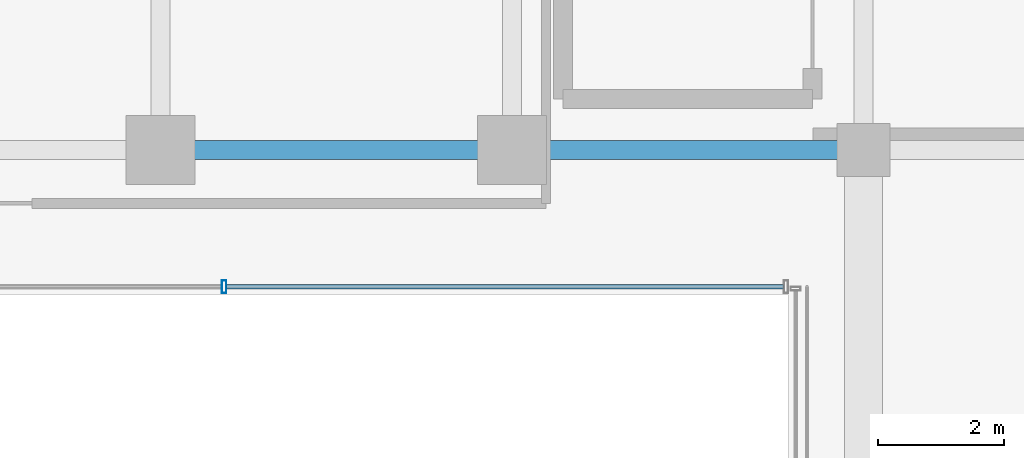
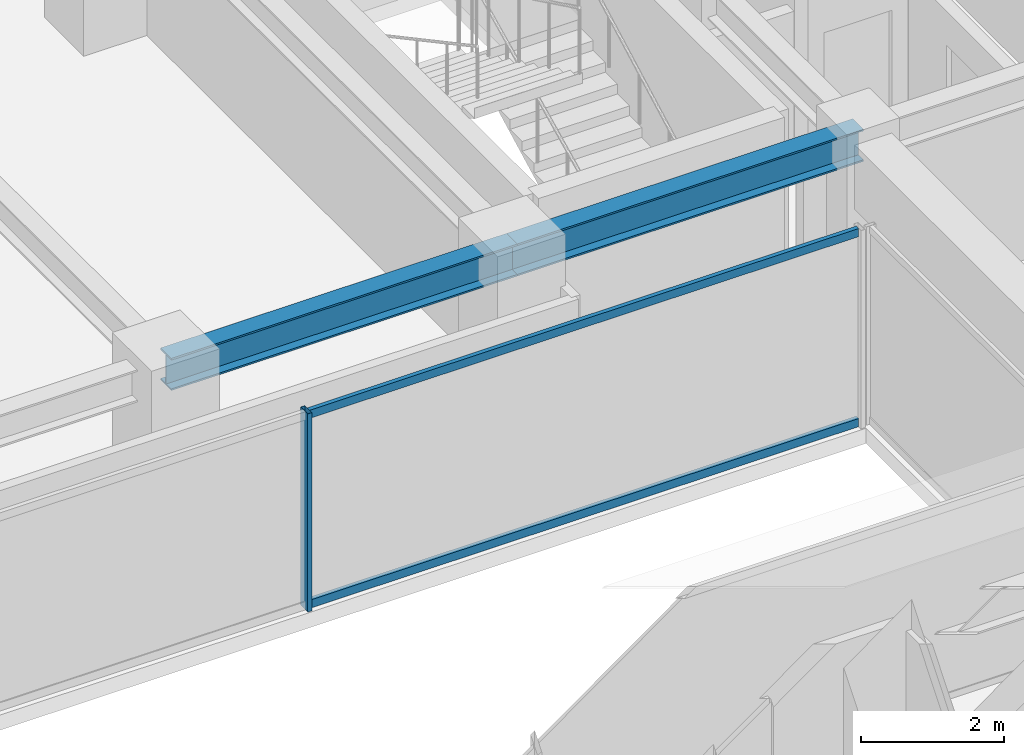
# One storey, part 12 of 37: 3 members, 2 beams, 1 element without a shape of its own.
"""IFC4 building model written with IfcOpenShell, lengths in metres."""

from ifc_helpers import new_model, si_unit, direction, frame, origin, origin_2d, place, context, subcontext, project, spatial, hollow_rectangle, i_section, extrude, source, transform, mapped, material, material_profile, profile_set, type_object, element, aggregate, save


model = new_model("IFC4")

# Units and contexts
model_context = context("Model", 3, precision=1e-05, world=origin(), true_north=direction((0.0, 1.0)))
body_context = subcontext(model_context, "Body", "Model", "MODEL_VIEW")
ifc_project = project(units=[si_unit("LENGTHUNIT", "METRE"), si_unit("AREAUNIT", "SQUARE_METRE"), si_unit("VOLUMEUNIT", "CUBIC_METRE"), si_unit("PLANEANGLEUNIT", "RADIAN"), si_unit("MASSUNIT", "GRAM", prefix="KILO")], contexts=[model_context])

# Site, building, storey
site_placement = place(None, origin())
site = spatial("IfcSite", under=ifc_project, at=site_placement, CompositionType="ELEMENT")
building_placement = place(site_placement, origin())
building = spatial("IfcBuilding", under=site, at=building_placement, Name="Nahalor Promenade Grand Hotel", CompositionType="ELEMENT")
storey_placement = place(building_placement, frame((0.0, 0.0, 167.25)))
storey = spatial("IfcBuildingStorey", under=building, at=storey_placement, Name="L42", CompositionType="ELEMENT", Elevation=167.25)

# Beams
ifc_material_1 = material(Name="Steel S355JR", Category="steel")
ifc_material_profile_1 = material_profile(ifc_material_1, i_section(OverallWidth=0.3, OverallDepth=0.55, WebThickness=0.015, FlangeThickness=0.029, at=origin_2d()), Name="HEB 550")
ifc_profile_set_1 = profile_set([ifc_material_profile_1], Name="Steel S355JR")
beam_type = type_object("IfcBeamType", Name="Beam-Girder-HEB550", PredefinedType="BEAM", material=ifc_profile_set_1)
shared_shape_1 = source(origin(), body_context, "Body", "SweptSolid", [
    extrude(i_section(OverallWidth=0.3, OverallDepth=0.55, WebThickness=0.015, FlangeThickness=0.029, at=origin_2d()), origin(), (0.0, 0.0, 1.0), 5.599853515625),
])
beam_1_placement = place(storey_placement, frame((2.800048828125, 5.39990234375, 3.114990234375), z_axis=(1.0, 0.0, 0.0), x_axis=(0.0, 1.0, 0.0)))
element("IfcBeam", 1, at=beam_1_placement, inside=storey, type_object=beam_type, Name="BM-L42-GX-2-4", PredefinedType="BEAM", context=body_context, shape_type="MappedRepresentation", body=[
    mapped(shared_shape_1, transform((0.0, 0.0, 0.0), scale=1.0)),
])
shared_shape_2 = source(origin(), body_context, "Body", "SweptSolid", [
    extrude(i_section(OverallWidth=0.3, OverallDepth=0.55, WebThickness=0.015, FlangeThickness=0.029, at=origin_2d()), origin(), (0.0, 0.0, 1.0), 5.60009765625),
])
beam_2_placement = place(storey_placement, frame((-2.800048828125, 5.39990234375, 3.114990234375), z_axis=(1.0, 0.0, 0.0), x_axis=(0.0, 1.0, 0.0)))
element("IfcBeam", 2, at=beam_2_placement, inside=storey, type_object=beam_type, Name="BM-L42-GX-2-3", PredefinedType="BEAM", context=body_context, shape_type="MappedRepresentation", body=[
    mapped(shared_shape_2, transform((0.0, 0.0, 0.0), scale=1.0)),
])

# Curtain wall, members
ifc_material_2 = material(Name="Anodised Bronze Aluminium EN AW-6063 T6", Category="aluminium")
curtain_wall_type = type_object("IfcCurtainWallType", Name="CW3 Elliptical-Void Collar Unitised Curtain Wall", PredefinedType="USERDEFINED", material=ifc_material_2)
curtain_wall_placement = place(storey_placement, origin())
curtain_wall = element("IfcCurtainWall", 3, at=curtain_wall_placement, inside=storey, type_object=curtain_wall_type, Name="L42 Curtain Wall CW-L42-VOID-WN1", ObjectType="UNITISED_CURTAIN_WALL", PredefinedType="USERDEFINED")
ifc_material_profile_2 = material_profile(ifc_material_2, hollow_rectangle(XDim=0.07, YDim=0.14, WallThickness=0.004, at=origin_2d()), Name="CWT 70x140x4")
ifc_profile_set_2 = profile_set([ifc_material_profile_2], Name="Anodised Bronze Aluminium EN AW-6063 T6")
member_type_1 = type_object("IfcMemberType", Name="CWT3 Void Collar Transom 70x140", PredefinedType="USERDEFINED", material=ifc_profile_set_2)
shared_shape_3 = source(origin(), body_context, "Body", "SweptSolid", [
    extrude(hollow_rectangle(XDim=0.07, YDim=0.14, WallThickness=0.004, at=origin_2d()), origin(), (0.0, 0.0, 1.0), 8.881591796875),
])
member_1_placement = place(storey_placement, frame((-1.751708984375, 3.219970703125, 0.070068359375), z_axis=(1.0, 0.0, 0.0), x_axis=(0.0, 1.0, 0.0)))
member_1 = element("IfcMember", 4, at=member_1_placement, type_object=member_type_1, Name="CW-L42-VOID-WN1 Transom 2-0", ObjectType="TRANSOM", PredefinedType="USERDEFINED", context=body_context, shape_type="MappedRepresentation", body=[
    mapped(shared_shape_3, transform((0.0, 0.0, 0.0), scale=1.0)),
])
member_2_placement = place(storey_placement, frame((-1.751708984375, 3.219970703125, 3.320068359375), z_axis=(1.0, 0.0, 0.0), x_axis=(0.0, 1.0, 0.0)))
member_2 = element("IfcMember", 5, at=member_2_placement, type_object=member_type_1, Name="CW-L42-VOID-WN1 Transom 2-1", ObjectType="TRANSOM", PredefinedType="USERDEFINED", context=body_context, shape_type="MappedRepresentation", body=[
    mapped(shared_shape_3, transform((0.0, 0.0, 0.0), scale=1.0)),
])
ifc_material_profile_3 = material_profile(ifc_material_2, hollow_rectangle(XDim=0.07, YDim=0.2, WallThickness=0.005, at=origin_2d()), Name="CWM 70x200x5")
ifc_profile_set_3 = profile_set([ifc_material_profile_3], Name="Anodised Bronze Aluminium EN AW-6063 T6")
member_type_2 = type_object("IfcMemberType", Name="CWM3 Void Collar Mullion 70x200", PredefinedType="MULLION", material=ifc_profile_set_3)
shared_shape_4 = source(origin(), body_context, "Body", "SweptSolid", [
    extrude(hollow_rectangle(XDim=0.07, YDim=0.2, WallThickness=0.005, at=origin_2d()), origin(), (0.0, 0.0, 1.0), 3.389892578125),
])
member_3_placement = place(storey_placement, frame((-1.78662109375, 3.219970703125, 0.0), z_axis=(0.0, 0.0, 1.0), x_axis=(1.0, 0.0, 0.0)))
member_3 = element("IfcMember", 6, at=member_3_placement, type_object=member_type_2, Name="CW-L42-VOID-WN1 Mullion 2", PredefinedType="MULLION", context=body_context, shape_type="MappedRepresentation", body=[
    mapped(shared_shape_4, transform((0.0, 0.0, 0.0), scale=1.0)),
])
aggregate(curtain_wall, [member_3, member_1, member_2])

save(model, "model.ifc")
